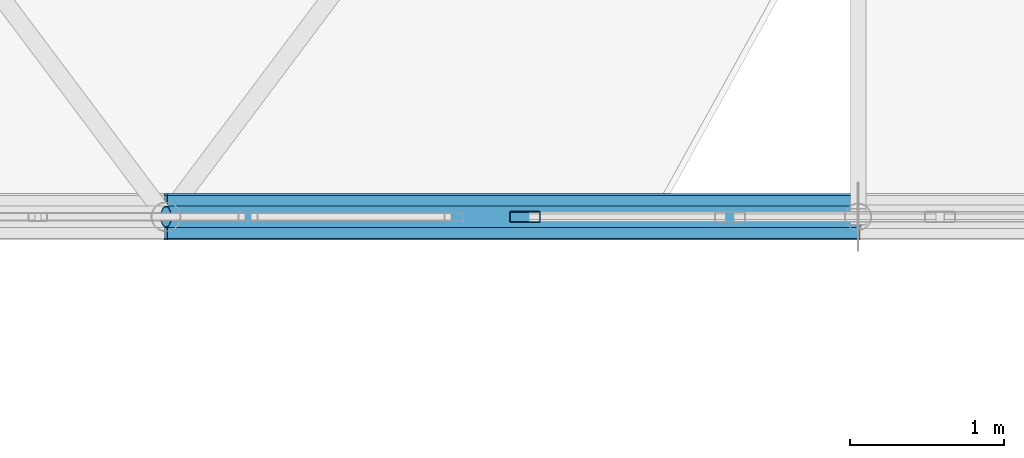
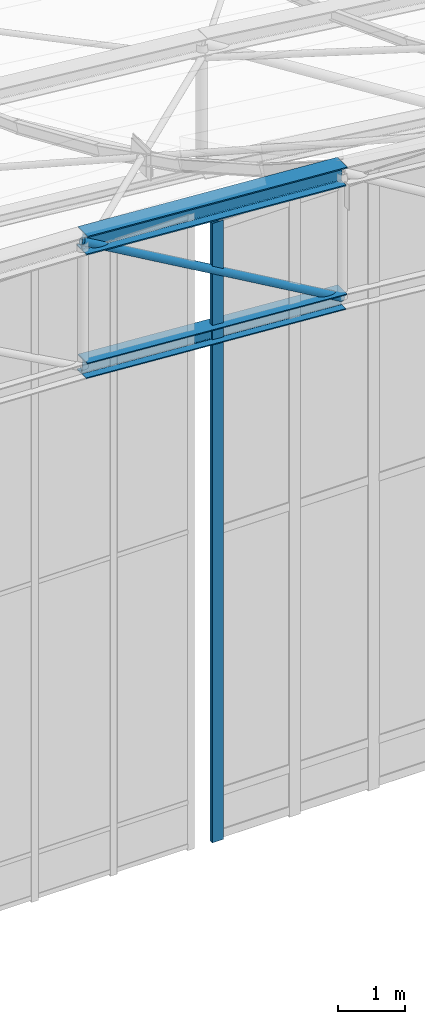
# One storey, part 63 of 262: 4 members, 1 element without a shape of its own.
"""IFC4 building model written with IfcOpenShell, lengths in metres."""

import ifcopenshell
import ifcopenshell.guid

model = None  # the IFC model being written
_history = None  # IfcOwnerHistory: only IFC2X3 demands one
_inside = {}  # id of a spatial element -> (the spatial element, [elements in it])
_under = {}  # id of a project, library or spatial element -> (it, [spatial elements below it])
_declared = {}  # id of a project -> (the project, [libraries it declares])
_typed = {}  # id of a type object -> (the type object, [elements of that type])
_made_of = {}  # id of a material, layer set ... -> (it, [elements and type objects made of it])


def new_model(schema):
    """Start an empty IFC model of exactly this schema.

    Asked for "IFC4X3", IfcOpenShell would pick the latest addendum, in which some entities
    have other attributes; the version numbers below select the first issue.
    IFC2X3 requires an IfcOwnerHistory on every rooted entity: one is made here for all.
    """
    global model, _history
    if schema == "IFC4X3":
        model = ifcopenshell.file(schema_version=(4, 3, 0, 0))
    else:
        model = ifcopenshell.file(schema=schema)
    _inside.clear()
    _under.clear()
    _declared.clear()
    _typed.clear()
    _made_of.clear()
    _history = None
    if model.schema == "IFC2X3":
        org = make("IfcOrganization", Name="unknown")
        user = make(
            "IfcPersonAndOrganization",
            ThePerson=make("IfcPerson", FamilyName="unknown"),
            TheOrganization=org,
        )
        app = make(
            "IfcApplication",
            ApplicationDeveloper=org,
            Version="unknown",
            ApplicationFullName="unknown",
            ApplicationIdentifier="unknown",
        )
        _history = make(
            "IfcOwnerHistory",
            OwningUser=user,
            OwningApplication=app,
            ChangeAction="ADDED",
            CreationDate=0,
        )
    return model


def make(cls, **values):
    """One entity of the class cls with the attributes given. An attribute that is None is left unset."""
    return model.create_entity(
        cls, **{name: value for name, value in values.items() if value is not None}
    )


def rooted(cls, **values):
    """An entity with a GlobalId (a new one), such as an element, a storey or a relation."""
    return make(cls, GlobalId=ifcopenshell.guid.new(), OwnerHistory=_history, **values)


def si_unit(unit_type, name, prefix=None):
    """IfcSIUnit, for example si_unit("LENGTHUNIT", "METRE", prefix="MILLI")."""
    return make("IfcSIUnit", UnitType=unit_type, Prefix=prefix, Name=name)


def derived_unit(unit_type, elements):
    """IfcDerivedUnit: a product of units, each with its exponent."""
    return make(
        "IfcDerivedUnit",
        Elements=[
            make("IfcDerivedUnitElement", Unit=unit, Exponent=power)
            for unit, power in elements
        ],
        UnitType=unit_type,
    )


def assignment(units):
    """IfcUnitAssignment: the units of a project."""
    return None if units is None else make("IfcUnitAssignment", Units=units)


def point(xyz):
    """IfcCartesianPoint."""
    return None if xyz is None else make("IfcCartesianPoint", Coordinates=xyz)


def direction(xyz):
    """IfcDirection."""
    return None if xyz is None else make("IfcDirection", DirectionRatios=xyz)


def frame(location, z_axis=None, x_axis=None):
    """IfcAxis2Placement3D, a coordinate frame: its origin and axes. An axis left out is left unset."""
    return make(
        "IfcAxis2Placement3D",
        Location=point(location),
        Axis=direction(z_axis),
        RefDirection=direction(x_axis),
    )


def frame_2d(location, x_axis=None):
    """IfcAxis2Placement2D, a coordinate frame in the plane: its origin and x axis."""
    return make(
        "IfcAxis2Placement2D", Location=point(location), RefDirection=direction(x_axis)
    )


def origin():
    """The frame at (0, 0, 0) with its axes left unset."""
    return frame((0.0, 0.0, 0.0))


def origin_2d():
    """The frame at (0, 0) in the plane with its x axis left unset."""
    return frame_2d((0.0, 0.0))


def place(relative_to, where):
    """IfcLocalPlacement: puts the frame where relative to a parent placement (None: the world)."""
    return make(
        "IfcLocalPlacement", PlacementRelTo=relative_to, RelativePlacement=where
    )


def context(
    kind, dimensions, precision=None, world=None, true_north=None, identifier=None
):
    """IfcGeometricRepresentationContext, for example the 3D "Model" context."""
    return make(
        "IfcGeometricRepresentationContext",
        ContextIdentifier=identifier,
        ContextType=kind,
        CoordinateSpaceDimension=dimensions,
        Precision=precision,
        WorldCoordinateSystem=world,
        TrueNorth=true_north,
    )


def subcontext(parent, identifier, kind, view, scale=None):
    """IfcGeometricRepresentationSubContext, for example "Body" below "Model"."""
    return make(
        "IfcGeometricRepresentationSubContext",
        ContextIdentifier=identifier,
        ContextType=kind,
        ParentContext=parent,
        TargetScale=scale,
        TargetView=view,
    )


def project(units=None, contexts=None):
    """IfcProject with its units and contexts."""
    return rooted(
        "IfcProject",
        Name="project",
        RepresentationContexts=contexts,
        UnitsInContext=assignment(units),
    )


def spatial(cls, under=None, at=None, **own):
    """A site, building, storey or space (cls), placed at a placement, below another one or the project."""
    s = rooted(cls, ObjectPlacement=at, **own)
    if under is not None:
        _under.setdefault(under.id(), (under, []))[1].append(s)
    return s


def profile(cls, at=None, kind="AREA", **sizes):
    """A parametric profile (cls). Its sizes go by their IFC names, for example OverallWidth=200.0."""
    return make(cls, ProfileType=kind, Position=at, **sizes)


def hollow_rectangle(**sizes):
    """IfcRectangleHollowProfileDef."""
    return profile("IfcRectangleHollowProfileDef", **sizes)


def hollow_circle(**sizes):
    """IfcCircleHollowProfileDef."""
    return profile("IfcCircleHollowProfileDef", **sizes)


def i_section(**sizes):
    """IfcIShapeProfileDef."""
    return profile("IfcIShapeProfileDef", **sizes)


def extrude(swept, where, along, depth):
    """IfcExtrudedAreaSolid: the profile swept, set in the frame where, extruded along a direction by depth."""
    return make(
        "IfcExtrudedAreaSolid",
        SweptArea=swept,
        Position=where,
        ExtrudedDirection=direction(along),
        Depth=depth,
    )


def shape(context_of_items, identifier, shape_type, items):
    """IfcShapeRepresentation: the items that make up one representation, for example the "Body"."""
    return make(
        "IfcShapeRepresentation",
        ContextOfItems=context_of_items,
        RepresentationIdentifier=identifier,
        RepresentationType=shape_type,
        Items=items,
    )


def material(Name=None, Category=None):
    """IfcMaterial."""
    return make("IfcMaterial", Name=Name, Category=Category)


def layer(
    of_material, thickness, ventilated=None, Name=None, Category=None, Priority=None
):
    """IfcMaterialLayer: one layer of a wall or slab, of a material (None: an air gap)."""
    return make(
        "IfcMaterialLayer",
        Material=of_material,
        LayerThickness=thickness,
        IsVentilated=ventilated,
        Name=Name,
        Category=Category,
        Priority=Priority,
    )


def layer_set(layers, Name=None):
    """IfcMaterialLayerSet."""
    return make("IfcMaterialLayerSet", MaterialLayers=layers, LayerSetName=Name)


def material_profile(
    of_material, cross_section, Name=None, Category=None, Priority=None
):
    """IfcMaterialProfile: a cross section and its material."""
    return make(
        "IfcMaterialProfile",
        Name=Name,
        Material=of_material,
        Profile=cross_section,
        Priority=Priority,
        Category=Category,
    )


def profile_set(profiles, Name=None, composite=None):
    """IfcMaterialProfileSet."""
    return make(
        "IfcMaterialProfileSet",
        Name=Name,
        MaterialProfiles=profiles,
        CompositeProfile=composite,
    )


def made_of(thing, what):
    """Note that an element or type object is made of a material, layer set ...; save() writes the relation."""
    if what is not None:
        _made_of.setdefault(what.id(), (what, []))[1].append(thing)
    return thing


def type_object(cls, material=None, **own):
    """A type object (cls), such as IfcWallType, which elements share."""
    return made_of(rooted(cls, **own), material)


def element(
    cls,
    number,
    at=None,
    inside=None,
    cuts=None,
    type_object=None,
    material=None,
    context=None,
    identifier="Body",
    shape_type=None,
    held_by="IfcProductDefinitionShape",
    body=None,
    shapes=None,
    **own,
):
    """One element of the class cls, such as IfcWall. Its Tag is "e" and its number.

    at: its placement. inside: the storey or other place that contains it. cuts: it is an
    opening in that element (IfcRelVoidsElement). A single representation is given by context,
    identifier, shape_type and body (its items); several are given by shapes. held_by: the class
    of the entity that holds the representations. save() writes the other relations.
    """
    e = rooted(cls, Tag="e%d" % number, ObjectPlacement=at, **own)
    if body is not None:
        shapes = [shape(context, identifier, shape_type, body)]
    if shapes is not None:
        e.Representation = make(held_by, Representations=shapes)
    if inside is not None:
        _inside.setdefault(inside.id(), (inside, []))[1].append(e)
    if cuts is not None:
        rooted(
            "IfcRelVoidsElement", RelatingBuildingElement=cuts, RelatedOpeningElement=e
        )
    if type_object is not None:
        _typed.setdefault(type_object.id(), (type_object, []))[1].append(e)
    return made_of(e, material)


def aggregate(whole, parts):
    """IfcRelAggregates: a whole, such as a stair, and the parts it consists of."""
    return rooted("IfcRelAggregates", RelatingObject=whole, RelatedObjects=parts)


def save(model, path):
    """Write the relations noted so far, then the file.

    IfcRelAggregates (storeys below a building ...), IfcRelContainedInSpatialStructure (elements
    in a storey), IfcRelDefinesByType, IfcRelAssociatesMaterial and IfcRelDeclares: one each for
    every whole, place, type object, material and project.
    """
    for whole, parts in _under.values():
        aggregate(whole, parts)
    for where, things in _inside.values():
        rooted(
            "IfcRelContainedInSpatialStructure",
            RelatedElements=things,
            RelatingStructure=where,
        )
    for kind, things in _typed.values():
        rooted("IfcRelDefinesByType", RelatedObjects=things, RelatingType=kind)
    for what, things in _made_of.values():
        rooted("IfcRelAssociatesMaterial", RelatedObjects=things, RelatingMaterial=what)
    for by, libraries in _declared.values():
        rooted("IfcRelDeclares", RelatingContext=by, RelatedDefinitions=libraries)
    model.write(path)


model = new_model("IFC4")

# Units and contexts
model_context = context("Model", 3, precision=1e-05, world=origin(), true_north=direction((0.0, 1.0)))
body_context = subcontext(model_context, "Body", "Model", "MODEL_VIEW")
ifc_project = project(units=[si_unit("LENGTHUNIT", "METRE"), si_unit("AREAUNIT", "SQUARE_METRE"), si_unit("VOLUMEUNIT", "CUBIC_METRE"), si_unit("PLANEANGLEUNIT", "RADIAN"), si_unit("MASSUNIT", "GRAM", prefix="KILO"), derived_unit("THERMALTRANSMITTANCEUNIT", [(si_unit("POWERUNIT", "WATT"), 1), (si_unit("LENGTHUNIT", "METRE"), -2), (si_unit("THERMODYNAMICTEMPERATUREUNIT", "KELVIN"), -1)])], contexts=[model_context])

# Site, building, storey
site_placement = place(None, origin())
site = spatial("IfcSite", under=ifc_project, at=site_placement, CompositionType="ELEMENT")
building_placement = place(site_placement, origin())
building = spatial("IfcBuilding", under=site, at=building_placement, Name="Almenara Railside Exhibition Hall", CompositionType="ELEMENT")
storey_placement = place(building_placement, frame((0.0, 0.0, 21.699951171875)))
storey = spatial("IfcBuildingStorey", under=building, at=storey_placement, Name="RF", CompositionType="ELEMENT", Elevation=21.699951171875)

# Members
ifc_material_1 = material(Name="Structural steel S355JR", Category="steel")
ifc_material_profile_1 = material_profile(ifc_material_1, i_section(OverallWidth=0.280029296875, OverallDepth=0.280029296875, WebThickness=0.010498046875, FlangeThickness=0.01806640625, FilletRadius=0.02392578125, at=origin_2d()), Name="HEB 280")
ifc_profile_set_1 = profile_set([ifc_material_profile_1], Name="Structural steel S355JR")
member_type_1 = type_object("IfcMemberType", Name="Arched Gable Bottom Chord HEB 280 S355JR", PredefinedType="CHORD", material=ifc_profile_set_1)
member_1_placement = place(storey_placement, frame((48.0, 48.0, 8.5556640625), z_axis=(0.997701025897, 0.0, -0.067769188608), x_axis=(0.0, 1.0, 0.0)))
element("IfcMember", 1, at=member_1_placement, inside=storey, type_object=member_type_1, Name="MEM-BC-V1-00-08", PredefinedType="CHORD", context=body_context, shape_type="SweptSolid", body=[
    extrude(i_section(OverallWidth=0.280029296875, OverallDepth=0.280029296875, WebThickness=0.010498046875, FlangeThickness=0.01806640625, FilletRadius=0.02392578125, at=origin_2d()), origin(), (0.0, 0.0, 1.0), 4.51025390625),
])
ifc_material_profile_2 = material_profile(ifc_material_1, i_section(OverallWidth=0.300048828125, OverallDepth=0.340087890625, WebThickness=0.011962890625, FlangeThickness=0.021484375, FilletRadius=0.027099609375, at=origin_2d()), Name="HEB 340")
ifc_profile_set_2 = profile_set([ifc_material_profile_2], Name="Structural steel S355JR")
member_type_2 = type_object("IfcMemberType", Name="Arched Gable Top Chord HEB 340 S355JR", PredefinedType="CHORD", material=ifc_profile_set_2)
member_2_placement = place(storey_placement, frame((48.0, 48.0, 10.855712890625), z_axis=(0.997701025897, 0.0, -0.067769188608), x_axis=(0.0, 1.0, 0.0)))
element("IfcMember", 2, at=member_2_placement, inside=storey, type_object=member_type_2, Name="MEM-TC-V1-00-08", PredefinedType="CHORD", context=body_context, shape_type="SweptSolid", body=[
    extrude(i_section(OverallWidth=0.300048828125, OverallDepth=0.340087890625, WebThickness=0.011962890625, FlangeThickness=0.021484375, FilletRadius=0.027099609375, at=origin_2d()), origin(), (0.0, 0.0, 1.0), 4.51025390625),
])

# Curtain wall, member
ifc_material_2 = material(Name="Bronze-anodised aluminium and low-E double glazing", Category="aluminium")
ifc_layer = layer(ifc_material_2, 0.179931640625, Name="Bronze-anodised aluminium and low-E double glazing")
ifc_layer_set = layer_set([ifc_layer], Name="Bronze-anodised aluminium and low-E double glazing")
curtain_wall_type = type_object("IfcCurtainWallType", Name="Scroll Gable Tall Curtain Wall 3800x5400", PredefinedType="NOTDEFINED", material=ifc_layer_set)
curtain_wall_placement = place(storey_placement, origin())
curtain_wall = element("IfcCurtainWall", 3, at=curtain_wall_placement, inside=storey, type_object=curtain_wall_type, Name="Curtain wall CW-G1-204", PredefinedType="NOTDEFINED")
ifc_material_3 = material(Name="Bronze-anodised aluminium", Category="aluminium")
ifc_material_profile_3 = material_profile(ifc_material_3, hollow_rectangle(XDim=0.070068359375, YDim=0.199951171875, WallThickness=0.00439453125, InnerFilletRadius=0.00439453125, OuterFilletRadius=0.009033203125, at=origin_2d()), Name="ALU-MUL 70x200x4.5")
ifc_profile_set_3 = profile_set([ifc_material_profile_3], Name="Bronze-anodised aluminium")
member_type_3 = type_object("IfcMemberType", Name="Curtain Wall Mullion 70x200x4.5", PredefinedType="MULLION", material=ifc_profile_set_3)
member_3_placement = place(storey_placement, frame((50.3349609375, 48.0, -0.93505859375), z_axis=(0.0, 0.0, 1.0), x_axis=(0.0, 1.0, 0.0)))
member_3 = element("IfcMember", 4, at=member_3_placement, type_object=member_type_3, Name="CW-G1-204 mullion 1", PredefinedType="MULLION", context=body_context, shape_type="SweptSolid", body=[
    extrude(hollow_rectangle(XDim=0.070068359375, YDim=0.199951171875, WallThickness=0.00439453125, InnerFilletRadius=0.00439453125, OuterFilletRadius=0.009033203125, at=origin_2d()), origin(), (0.0, 0.0, 1.0), 11.34521484375),
])
aggregate(curtain_wall, [member_3])

# Member
ifc_material_profile_4 = material_profile(ifc_material_1, hollow_circle(Radius=0.06982421875, WallThickness=0.0048828125, at=origin_2d()), Name="CHS 139.7x5")
ifc_profile_set_4 = profile_set([ifc_material_profile_4], Name="Structural steel S355JR")
member_type_4 = type_object("IfcMemberType", Name="Truss Inner Diagonal CHS 139.7x5 S355JR", PredefinedType="BRACE", material=ifc_profile_set_4)
member_4_placement = place(storey_placement, frame((48.0, 48.0, 10.855712890625), z_axis=(0.865388781224, 0.0, -0.501101045031), x_axis=(0.0, 1.0, 0.0)))
element("IfcMember", 5, at=member_4_placement, inside=storey, type_object=member_type_4, Name="MEM-TD-V1-00-08", PredefinedType="BRACE", context=body_context, shape_type="SweptSolid", body=[
    extrude(hollow_circle(Radius=0.06982421875, WallThickness=0.0048828125, at=origin_2d()), origin(), (0.0, 0.0, 1.0), 5.199951171875),
])

save(model, "model.ifc")
